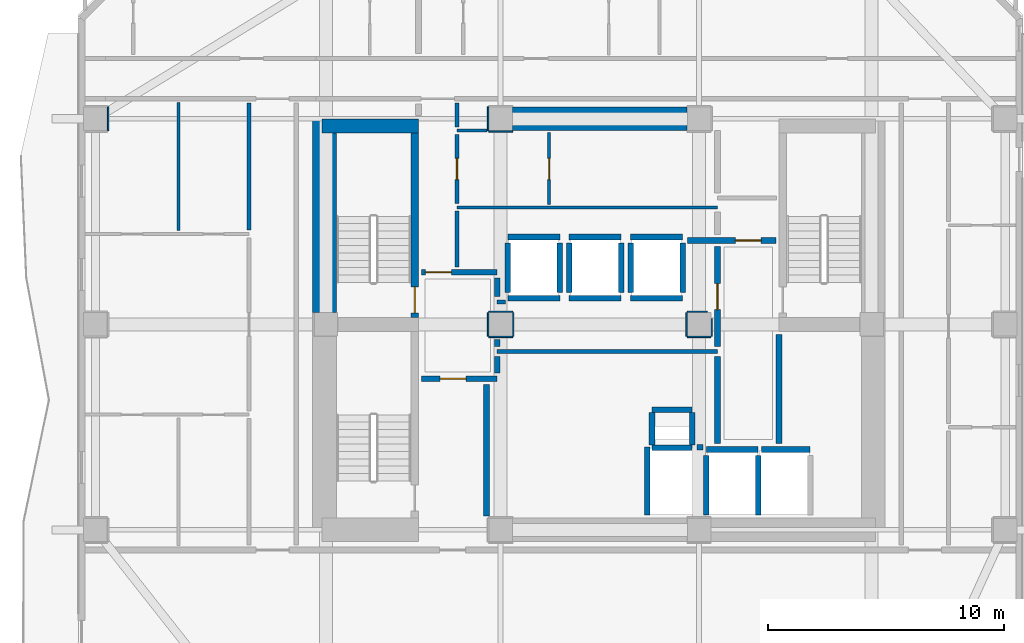
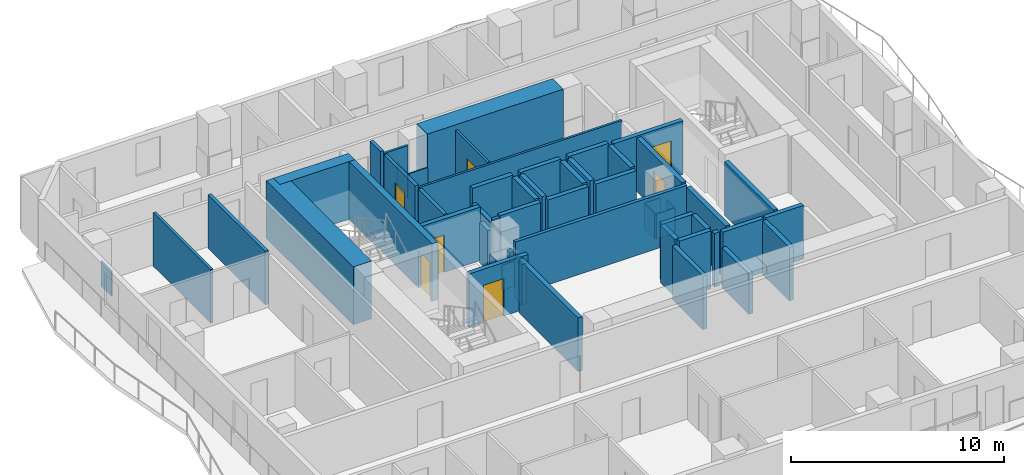
# One storey, part 4 of 11: 57 walls, 7 doors, 7 openings.
"""IFC4 building model written with IfcOpenShell, lengths in metres."""

from ifc_helpers import new_model, si_unit, direction, frame, frame_2d, origin, place, context, subcontext, project, spatial, rectangle, extrude, material, layer, layer_set, type_object, element, fill, save


model = new_model("IFC4")

# Units and contexts
model_context = context("Model", 3, precision=1e-05, world=origin(), true_north=direction((0.0, 1.0)))
body_context = subcontext(model_context, "Body", "Model", "MODEL_VIEW")
ifc_project = project(units=[si_unit("LENGTHUNIT", "METRE"), si_unit("AREAUNIT", "SQUARE_METRE"), si_unit("VOLUMEUNIT", "CUBIC_METRE"), si_unit("PLANEANGLEUNIT", "RADIAN"), si_unit("MASSUNIT", "GRAM", prefix="KILO")], contexts=[model_context])

# Site, building, storey
site_placement = place(None, origin())
site = spatial("IfcSite", under=ifc_project, at=site_placement, CompositionType="ELEMENT")
building_placement = place(site_placement, origin())
building = spatial("IfcBuilding", under=site, at=building_placement, Name="Solanera Arch Residences", CompositionType="ELEMENT")
storey_placement = place(building_placement, frame((0.0, 0.0, 112.719970703125)))
storey = spatial("IfcBuildingStorey", under=building, at=storey_placement, Name="L32", CompositionType="ELEMENT", Elevation=112.719970703125)

# Walls
ifc_material_1 = material(Name="Fire-Rated Gypsum Stud Partition", Category="gypsum")
ifc_layer_1 = layer(ifc_material_1, 0.06005859375)
ifc_layer_set_1 = layer_set([ifc_layer_1], Name="Fire-Rated Gypsum Stud Partition")
wall_type_1 = type_object("IfcWallType", Name="Column Acoustic Furring Wall 60", PredefinedType="PARTITIONING", material=ifc_layer_set_1)
for number, where, z_axis, x_axis, name in (
    (1, (20.300048828125, 38.867919921875, 0.0), (0.0, 0.0, 1.0), (1.0, 0.0, 0.0), "L32 Column Furring 3S"),
    (2, (20.26806640625, 38.89990234375, 0.0), (0.0, 0.0, 1.0), (0.0, 1.0, 0.0), "L32 Column Furring 3W"),
    (3, (20.300048828125, 30.16796875, 0.0), (0.0, 0.0, 1.0), (1.0, 0.0, 0.0), "L32 Column Furring 7S"),
    (4, (20.300048828125, 31.23193359375, 0.0), (0.0, 0.0, 1.0), (1.0, 0.0, 0.0), "L32 Column Furring 7N"),
    (5, (20.26806640625, 30.199951171875, 0.0), (0.0, 0.0, 1.0), (0.0, 1.0, 0.0), "L32 Column Furring 7W"),
    (6, (21.33203125, 30.199951171875, 0.0), (0.0, 0.0, 1.0), (0.0, 1.0, 0.0), "L32 Column Furring 7E"),
    (7, (28.699951171875, 30.16796875, 0.0), (0.0, 0.0, 1.0), (1.0, 0.0, 0.0), "L32 Column Furring 8S"),
):
    element("IfcWall", number, at=place(storey_placement, frame(where, z_axis=z_axis, x_axis=x_axis)), inside=storey, type_object=wall_type_1, Name=name, PredefinedType="PARTITIONING", context=body_context, shape_type="SweptSolid", body=[
        extrude(rectangle(XDim=1.0, YDim=0.06005859375, at=frame_2d((0.5, 0.0))), origin(), (0.0, 0.0, 1.0), 1.449951171875),
    ])
wall_1_placement = place(storey_placement, frame((28.699951171875, 31.23193359375, 0.0), z_axis=(0.0, 0.0, 1.0), x_axis=(1.0, 0.0, 0.0)))
element("IfcWall", 8, at=wall_1_placement, inside=storey, type_object=wall_type_1, Name="L32 Column Furring 8N", PredefinedType="PARTITIONING", context=body_context, shape_type="SweptSolid", body=[
    extrude(rectangle(XDim=0.8349609375, YDim=0.06005859375, at=frame_2d((0.41748046875, 0.0))), origin(), (0.0, 0.0, 1.0), 1.449951171875),
])
wall_2_placement = place(storey_placement, frame((28.66796875, 30.199951171875, 0.0), z_axis=(0.0, 0.0, 1.0), x_axis=(0.0, 1.0, 0.0)))
element("IfcWall", 9, at=wall_2_placement, inside=storey, type_object=wall_type_1, Name="L32 Column Furring 8W", PredefinedType="PARTITIONING", context=body_context, shape_type="SweptSolid", body=[
    extrude(rectangle(XDim=1.0, YDim=0.06005859375, at=frame_2d((0.5, 0.0))), origin(), (0.0, 0.0, 1.0), 1.449951171875),
])
wall_3_placement = place(storey_placement, frame((29.73193359375, 30.199951171875, 0.0), z_axis=(0.0, 0.0, 1.0), x_axis=(0.0, 1.0, 0.0)))
element("IfcWall", 10, at=wall_3_placement, inside=storey, type_object=wall_type_1, Name="L32 Column Furring 8E", PredefinedType="PARTITIONING", context=body_context, shape_type="SweptSolid", body=[
    extrude(rectangle(XDim=0.7470703125, YDim=0.06005859375, at=frame_2d((0.37353515625, 0.0))), origin(), (0.0, 0.0, 1.0), 1.449951171875),
])
wall_4_placement = place(storey_placement, frame((4.181884765625, 38.89990234375, 0.0), z_axis=(0.0, 0.0, 1.0), x_axis=(0.0, 1.0, 0.0)))
element("IfcWall", 11, at=wall_4_placement, inside=storey, type_object=wall_type_1, Name="L32 Column Furring 21E", PredefinedType="PARTITIONING", context=body_context, shape_type="SweptSolid", body=[
    extrude(rectangle(XDim=1.0, YDim=0.06005859375, at=frame_2d((0.5, 0.0))), origin(), (0.0, 0.0, 1.0), 1.449951171875),
])
ifc_material_2 = material(Name="Concrete C55/67 (f'c = 60 MPa)", Category="concrete")
ifc_layer_2 = layer(ifc_material_2, 1.0)
ifc_layer_set_2 = layer_set([ifc_layer_2], Name="Concrete C55/67 (f'c = 60 MPa)")
wall_type_2 = type_object("IfcWallType", Name="Core Shear Wall CW-1000", PredefinedType="SHEAR", material=ifc_layer_set_2)
wall_5_placement = place(storey_placement, frame((13.340087890625, 31.205078125, 0.0), z_axis=(0.0, 0.0, 1.0), x_axis=(0.0, 1.0, 0.0)))
element("IfcWall", 12, at=wall_5_placement, inside=storey, type_object=wall_type_2, Name="L32 West Core North Shear Wall", PredefinedType="SHEAR", context=body_context, shape_type="SweptSolid", body=[
    extrude(rectangle(XDim=8.19482421875, YDim=1.0, at=frame_2d((4.097412109375, 0.0))), origin(), (0.0, 0.0, 1.0), 3.320068359375),
])
wall_6_placement = place(storey_placement, frame((21.304931640625, 39.39990234375, 0.0), z_axis=(0.0, 0.0, 1.0), x_axis=(1.0, 0.0, 0.0)))
element("IfcWall", 13, at=wall_6_placement, inside=storey, type_object=wall_type_2, Name="L32 Central North Core Shear Wall", PredefinedType="SHEAR", context=body_context, shape_type="SweptSolid", body=[
    extrude(rectangle(XDim=7.39013671875, YDim=1.0, at=frame_2d((3.695068359375, 0.0))), origin(), (0.0, 0.0, 1.0), 3.320068359375),
])

# Wall, opening, door
ifc_material_3 = material(Name="Concrete C40/50 (f'c = 45 MPa)", Category="concrete")
ifc_layer_3 = layer(ifc_material_3, 0.320068359375)
ifc_layer_set_3 = layer_set([ifc_layer_3], Name="Concrete C40/50 (f'c = 45 MPa)")
wall_type_3 = type_object("IfcWallType", Name="Core Shear Wall CW-320", PredefinedType="SHEAR", material=ifc_layer_set_3)
wall_7_placement = place(storey_placement, frame((17.159912109375, 31.0, 0.0), z_axis=(0.0, 0.0, 1.0), x_axis=(0.0, 1.0, 0.0)))
wall_7 = element("IfcWall", 14, at=wall_7_placement, inside=storey, type_object=wall_type_3, Name="L32 Stair ST-T1 East Shear Wall", PredefinedType="SHEAR", context=body_context, shape_type="SweptSolid", body=[
    extrude(rectangle(XDim=7.800048828125, YDim=0.320068359375, at=frame_2d((3.89990234375, 0.0))), origin(), (0.0, 0.0, 1.0), 3.320068359375),
])
opening_1_placement = place(wall_7_placement, frame((0.18994140625, 0.0, 0.0)))
opening_1 = element("IfcOpeningElement", 15, at=opening_1_placement, cuts=wall_7, Name="Opening DF-01", PredefinedType="OPENING", context=body_context, shape_type="SweptSolid", body=[
    extrude(rectangle(XDim=1.10009765625, YDim=2.14990234375, at=frame_2d((0.550048828125, 1.074951171875))), frame((0.0, 0.169921875, 0.0), z_axis=(0.0, -1.0, 0.0), x_axis=(1.0, 0.0, 0.0)), (0.0, 0.0, 1.0), 0.3401),
])
ifc_material_4 = material(Name="Fire-Rated Architectural Hardwood", Category="wood")
door_type_1 = type_object("IfcDoorType", Name="Stair Exit Fire Door DF-01", OperationType="NOTDEFINED", PredefinedType="DOOR", material=ifc_material_4)
door_1_placement = place(opening_1_placement, origin())
door_1 = element("IfcDoor", 16, at=door_1_placement, inside=storey, type_object=door_type_1, Name="DR-L32-STAIR-ST-T1", OperationType="SINGLE_SWING_RIGHT", OverallHeight=2.14990234375, OverallWidth=1.10009765625, PredefinedType="DOOR", context=body_context, shape_type="SweptSolid", body=[
    extrude(rectangle(XDim=1.10009765625, YDim=2.14990234375, at=frame_2d((0.550048828125, 1.074951171875))), frame((0.0, 0.02490234375, 0.0), z_axis=(0.0, -1.0, 0.0), x_axis=(1.0, 0.0, 0.0)), (0.0, 0.0, 1.0), 0.050048828125),
])
fill(opening_1, door_1)

# Walls
ifc_material_5 = material(Name="Concrete C40/50 (f'c = 45 MPa)", Category="concrete")
ifc_layer_4 = layer(ifc_material_5, 0.60009765625)
ifc_layer_set_4 = layer_set([ifc_layer_4], Name="Concrete C40/50 (f'c = 45 MPa)")
wall_type_4 = type_object("IfcWallType", Name="Core Shear Wall CW-600", PredefinedType="SHEAR", material=ifc_layer_set_4)
wall_8_placement = place(storey_placement, frame((13.239990234375, 39.10009765625, 0.0), z_axis=(0.0, 0.0, 1.0), x_axis=(1.0, 0.0, 0.0)))
element("IfcWall", 17, at=wall_8_placement, inside=storey, type_object=wall_type_4, Name="L32 North-West Core Shear Wall", PredefinedType="SHEAR", context=body_context, shape_type="SweptSolid", body=[
    extrude(rectangle(XDim=4.080078125, YDim=0.60009765625, at=frame_2d((2.0400390625, 0.0))), origin(), (0.0, 0.0, 1.0), 3.320068359375),
])
ifc_material_6 = material(Name="Autoclaved Aerated Concrete Blockwork", Category="masonry")
ifc_layer_5 = layer(ifc_material_6, 0.179931640625)
ifc_layer_set_5 = layer_set([ifc_layer_5], Name="Autoclaved Aerated Concrete Blockwork")
wall_type_5 = type_object("IfcWallType", Name="Corridor Fire Partition 180", PredefinedType="PARTITIONING", material=ifc_layer_set_5)
wall_9_placement = place(storey_placement, frame((20.64990234375, 29.550048828125, 0.0), z_axis=(0.0, 0.0, 1.0), x_axis=(1.0, 0.0, 0.0)))
element("IfcWall", 18, at=wall_9_placement, inside=storey, type_object=wall_type_5, Name="L32 Interior Partition H7", PredefinedType="PARTITIONING", context=body_context, shape_type="SweptSolid", body=[
    extrude(rectangle(XDim=9.3251953125, YDim=0.179931640625, at=frame_2d((4.66259765625, 0.0))), origin(), (0.0, 0.0, 1.0), 3.080078125),
])
wall_10_placement = place(storey_placement, frame((20.64990234375, 31.64990234375, 0.0), z_axis=(0.0, 0.0, 1.0), x_axis=(1.0, 0.0, 0.0)))
element("IfcWall", 19, at=wall_10_placement, inside=storey, type_object=wall_type_5, Name="L32 Interior Partition H8", PredefinedType="PARTITIONING", context=body_context, shape_type="SweptSolid", body=[
    extrude(rectangle(XDim=0.357177734375, YDim=0.179931640625, at=frame_2d((0.1787109375, 0.0))), origin(), (0.0, 0.0, 1.0), 3.080078125),
])
wall_11_placement = place(storey_placement, frame((10.14990234375, 34.68798828125, 0.0), z_axis=(0.0, 0.0, 1.0), x_axis=(0.0, 1.0, 0.0)))
element("IfcWall", 20, at=wall_11_placement, inside=storey, type_object=wall_type_5, Name="L32 Interior Partition V8 3", PredefinedType="PARTITIONING", context=body_context, shape_type="SweptSolid", body=[
    extrude(rectangle(XDim=5.3740234375, YDim=0.179931640625, at=frame_2d((2.68701171875, 0.0))), origin(), (0.0, 0.0, 1.0), 3.080078125),
])
wall_12_placement = place(storey_placement, frame((18.949951171875, 33.117919921875, 0.0), z_axis=(0.0, 0.0, 1.0), x_axis=(0.0, 1.0, 0.0)))
element("IfcWall", 21, at=wall_12_placement, inside=storey, type_object=wall_type_5, Name="L32 Interior Partition V10 1", PredefinedType="PARTITIONING", context=body_context, shape_type="SweptSolid", body=[
    extrude(rectangle(XDim=2.3740234375, YDim=0.179931640625, at=frame_2d((1.18701171875, 0.0))), origin(), (0.0, 0.0, 1.0), 3.080078125),
])

# Wall, opening, door
wall_13_placement = place(storey_placement, frame((18.949951171875, 35.80810546875, 0.0), z_axis=(0.0, 0.0, 1.0), x_axis=(0.0, 1.0, 0.0)))
wall_13 = element("IfcWall", 22, at=wall_13_placement, inside=storey, type_object=wall_type_5, Name="L32 Interior Partition V10 2", PredefinedType="PARTITIONING", context=body_context, shape_type="SweptSolid", body=[
    extrude(rectangle(XDim=2.933837890625, YDim=0.179931640625, at=frame_2d((1.466796875, 0.0))), origin(), (0.0, 0.0, 1.0), 3.080078125),
])
opening_2_placement = place(wall_13_placement, frame((1.01708984375, 0.0, 0.0)))
opening_2 = element("IfcOpeningElement", 23, at=opening_2_placement, cuts=wall_13, Name="Opening DI-02", PredefinedType="OPENING", context=body_context, shape_type="SweptSolid", body=[
    extrude(rectangle(XDim=0.89990234375, YDim=2.10009765625, at=frame_2d((0.449951171875, 1.050048828125))), frame((0.0, 0.10009765625, 0.0), z_axis=(0.0, -1.0, 0.0), x_axis=(1.0, 0.0, 0.0)), (0.0, 0.0, 1.0), 0.1999),
])
ifc_material_7 = material(Name="Fire-Rated Architectural Hardwood", Category="wood")
door_type_2 = type_object("IfcDoorType", Name="Suite Room Swing Door DI-02", OperationType="NOTDEFINED", PredefinedType="DOOR", material=ifc_material_7)
door_2_placement = place(opening_2_placement, origin())
door_2 = element("IfcDoor", 24, at=door_2_placement, inside=storey, type_object=door_type_2, Name="DR-L32-IN-014", OperationType="SINGLE_SWING_LEFT", OverallHeight=2.10009765625, OverallWidth=0.89990234375, PredefinedType="DOOR", context=body_context, shape_type="SweptSolid", body=[
    extrude(rectangle(XDim=0.89990234375, YDim=2.10009765625, at=frame_2d((0.449951171875, 1.050048828125))), frame((0.0, 0.02490234375, 0.0), z_axis=(0.0, -1.0, 0.0), x_axis=(1.0, 0.0, 0.0)), (0.0, 0.0, 1.0), 0.050048828125),
])
fill(opening_2, door_2)

# Walls
wall_14_placement = place(storey_placement, frame((18.949951171875, 39.05810546875, 0.0), z_axis=(0.0, 0.0, 1.0), x_axis=(0.0, 1.0, 0.0)))
element("IfcWall", 25, at=wall_14_placement, inside=storey, type_object=wall_type_5, Name="L32 Interior Partition V10 3", PredefinedType="PARTITIONING", context=body_context, shape_type="SweptSolid", body=[
    extrude(rectangle(XDim=1.00390625, YDim=0.179931640625, at=frame_2d((0.501953125, 0.0))), origin(), (0.0, 0.0, 1.0), 3.080078125),
])
ifc_material_8 = material(Name="Concrete C40/50 (f'c = 45 MPa)", Category="concrete")
ifc_layer_6 = layer(ifc_material_8, 0.239990234375)
ifc_layer_set_6 = layer_set([ifc_layer_6], Name="Concrete C40/50 (f'c = 45 MPa)")
wall_type_6 = type_object("IfcWallType", Name="Ramp Bearing Shear Wall RW-240", PredefinedType="SHEAR", material=ifc_layer_set_6)
for number, where, z_axis, x_axis, name in (
    (26, (27.199951171875, 25.47998046875, 0.0), (0.0, 0.0, 1.0), (1.0, 0.0, 0.0), "L32 Core MEP Riser South Shaft Wall"),
    (27, (27.199951171875, 27.080078125, 0.0), (0.0, 0.0, 1.0), (1.0, 0.0, 0.0), "L32 Core MEP Riser North Shaft Wall"),
):
    element("IfcWall", number, at=place(storey_placement, frame(where, z_axis=z_axis, x_axis=x_axis)), inside=storey, type_object=wall_type_6, Name=name, PredefinedType="SHEAR", context=body_context, shape_type="SweptSolid", body=[
        extrude(rectangle(XDim=1.699951171875, YDim=0.239990234375, at=frame_2d((0.85009765625, 0.0))), origin(), (0.0, 0.0, 1.0), 3.320068359375),
    ])
for number, where, z_axis, x_axis, name in (
    (28, (27.199951171875, 25.60009765625, 0.0), (0.0, 0.0, 1.0), (0.0, 1.0, 0.0), "L32 Core MEP Riser West Shaft Wall"),
    (29, (28.89990234375, 25.60009765625, 0.0), (0.0, 0.0, 1.0), (0.0, 1.0, 0.0), "L32 Core MEP Riser East Shaft Wall"),
):
    element("IfcWall", number, at=place(storey_placement, frame(where, z_axis=z_axis, x_axis=x_axis)), inside=storey, type_object=wall_type_6, Name=name, PredefinedType="SHEAR", context=body_context, shape_type="SweptSolid", body=[
        extrude(rectangle(XDim=1.35986328125, YDim=0.239990234375, at=frame_2d((0.679931640625, 0.0))), origin(), (0.0, 0.0, 1.0), 3.320068359375),
    ])
ifc_material_9 = material(Name="Autoclaved Aerated Concrete Blockwork", Category="masonry")
ifc_layer_7 = layer(ifc_material_9, 0.239990234375)
ifc_layer_set_7 = layer_set([ifc_layer_7], Name="Autoclaved Aerated Concrete Blockwork")
wall_type_7 = type_object("IfcWallType", Name="Shaft Wall Fire-Rated 240", PredefinedType="PARTITIONING", material=ifc_layer_set_7)
for number, where, z_axis, x_axis, name in (
    (30, (21.10009765625, 31.800048828125, 0.0), (0.0, 0.0, 1.0), (1.0, 0.0, 0.0), "L32 Lift PL-M1 Hoistway Wall S"),
    (31, (21.10009765625, 34.39990234375, 0.0), (0.0, 0.0, 1.0), (1.0, 0.0, 0.0), "L32 Lift PL-M1 Hoistway Wall N"),
):
    element("IfcWall", number, at=place(storey_placement, frame(where, z_axis=z_axis, x_axis=x_axis)), inside=storey, type_object=wall_type_7, Name=name, PredefinedType="PARTITIONING", context=body_context, shape_type="SweptSolid", body=[
        extrude(rectangle(XDim=2.199951171875, YDim=0.239990234375, at=frame_2d((1.10009765625, 0.0))), origin(), (0.0, 0.0, 1.0), 3.080078125),
    ])
wall_15_placement = place(storey_placement, frame((21.10009765625, 32.048095703125, 0.0), z_axis=(0.0, 0.0, 1.0), x_axis=(0.0, 1.0, 0.0)))
element("IfcWall", 32, at=wall_15_placement, inside=storey, type_object=wall_type_7, Name="L32 Lift PL-M1 Hoistway Wall W", PredefinedType="PARTITIONING", context=body_context, shape_type="SweptSolid", body=[
    extrude(rectangle(XDim=2.10400390625, YDim=0.239990234375, at=frame_2d((1.052001953125, 0.0))), origin(), (0.0, 0.0, 1.0), 2.31494140625),
])
wall_16_placement = place(storey_placement, frame((23.300048828125, 32.048095703125, 0.0), z_axis=(0.0, 0.0, 1.0), x_axis=(0.0, 1.0, 0.0)))
element("IfcWall", 33, at=wall_16_placement, inside=storey, type_object=wall_type_7, Name="L32 Lift PL-M1 Hoistway Wall E", PredefinedType="PARTITIONING", context=body_context, shape_type="SweptSolid", body=[
    extrude(rectangle(XDim=2.10400390625, YDim=0.239990234375, at=frame_2d((1.052001953125, 0.0))), origin(), (0.0, 0.0, 1.0), 3.080078125),
])
for number, where, z_axis, x_axis, name in (
    (34, (23.699951171875, 31.800048828125, 0.0), (0.0, 0.0, 1.0), (1.0, 0.0, 0.0), "L32 Lift PL-M2 Hoistway Wall S"),
    (35, (23.699951171875, 34.39990234375, 0.0), (0.0, 0.0, 1.0), (1.0, 0.0, 0.0), "L32 Lift PL-M2 Hoistway Wall N"),
):
    element("IfcWall", number, at=place(storey_placement, frame(where, z_axis=z_axis, x_axis=x_axis)), inside=storey, type_object=wall_type_7, Name=name, PredefinedType="PARTITIONING", context=body_context, shape_type="SweptSolid", body=[
        extrude(rectangle(XDim=2.199951171875, YDim=0.239990234375, at=frame_2d((1.10009765625, 0.0))), origin(), (0.0, 0.0, 1.0), 3.080078125),
    ])
for number, where, z_axis, x_axis, name in (
    (36, (23.699951171875, 32.048095703125, 0.0), (0.0, 0.0, 1.0), (0.0, 1.0, 0.0), "L32 Lift PL-M2 Hoistway Wall W"),
    (37, (25.89990234375, 32.048095703125, 0.0), (0.0, 0.0, 1.0), (0.0, 1.0, 0.0), "L32 Lift PL-M2 Hoistway Wall E"),
):
    element("IfcWall", number, at=place(storey_placement, frame(where, z_axis=z_axis, x_axis=x_axis)), inside=storey, type_object=wall_type_7, Name=name, PredefinedType="PARTITIONING", context=body_context, shape_type="SweptSolid", body=[
        extrude(rectangle(XDim=2.10400390625, YDim=0.239990234375, at=frame_2d((1.052001953125, 0.0))), origin(), (0.0, 0.0, 1.0), 3.080078125),
    ])
for number, where, z_axis, x_axis, name in (
    (38, (26.300048828125, 31.800048828125, 0.0), (0.0, 0.0, 1.0), (1.0, 0.0, 0.0), "L32 Lift PL-M3 Hoistway Wall S"),
    (39, (26.300048828125, 34.39990234375, 0.0), (0.0, 0.0, 1.0), (1.0, 0.0, 0.0), "L32 Lift PL-M3 Hoistway Wall N"),
):
    element("IfcWall", number, at=place(storey_placement, frame(where, z_axis=z_axis, x_axis=x_axis)), inside=storey, type_object=wall_type_7, Name=name, PredefinedType="PARTITIONING", context=body_context, shape_type="SweptSolid", body=[
        extrude(rectangle(XDim=2.199951171875, YDim=0.239990234375, at=frame_2d((1.10009765625, 0.0))), origin(), (0.0, 0.0, 1.0), 3.080078125),
    ])
for number, where, z_axis, x_axis, name in (
    (40, (26.300048828125, 32.048095703125, 0.0), (0.0, 0.0, 1.0), (0.0, 1.0, 0.0), "L32 Lift PL-M3 Hoistway Wall W"),
    (41, (28.5, 32.048095703125, 0.0), (0.0, 0.0, 1.0), (0.0, 1.0, 0.0), "L32 Lift PL-M3 Hoistway Wall E"),
):
    element("IfcWall", number, at=place(storey_placement, frame(where, z_axis=z_axis, x_axis=x_axis)), inside=storey, type_object=wall_type_7, Name=name, PredefinedType="PARTITIONING", context=body_context, shape_type="SweptSolid", body=[
        extrude(rectangle(XDim=2.10400390625, YDim=0.239990234375, at=frame_2d((1.052001953125, 0.0))), origin(), (0.0, 0.0, 1.0), 3.080078125),
    ])
wall_17_placement = place(storey_placement, frame((29.5, 25.39990234375, 0.0), z_axis=(0.0, 0.0, 1.0), x_axis=(1.0, 0.0, 0.0)))
element("IfcWall", 42, at=wall_17_placement, inside=storey, type_object=wall_type_7, Name="L32 Lift FFL-1 Hoistway Wall N", PredefinedType="PARTITIONING", context=body_context, shape_type="SweptSolid", body=[
    extrude(rectangle(XDim=2.199951171875, YDim=0.239990234375, at=frame_2d((1.10009765625, 0.0))), origin(), (0.0, 0.0, 1.0), 3.080078125),
])
wall_18_placement = place(storey_placement, frame((29.5, 22.632080078125, 0.0), z_axis=(0.0, 0.0, 1.0), x_axis=(0.0, 1.0, 0.0)))
element("IfcWall", 43, at=wall_18_placement, inside=storey, type_object=wall_type_7, Name="L32 Lift FFL-1 Hoistway Wall W", PredefinedType="PARTITIONING", context=body_context, shape_type="SweptSolid", body=[
    extrude(rectangle(XDim=2.52001953125, YDim=0.239990234375, at=frame_2d((1.260009765625, 0.0))), origin(), (0.0, 0.0, 1.0), 2.31494140625),
])
wall_19_placement = place(storey_placement, frame((31.699951171875, 22.6298828125, 0.0), z_axis=(0.0, 0.0, 1.0), x_axis=(0.0, 1.0, 0.0)))
element("IfcWall", 44, at=wall_19_placement, inside=storey, type_object=wall_type_7, Name="L32 Lift FFL-1 Hoistway Wall E", PredefinedType="PARTITIONING", context=body_context, shape_type="SweptSolid", body=[
    extrude(rectangle(XDim=2.522216796875, YDim=0.239990234375, at=frame_2d((1.26123046875, 0.0))), origin(), (0.0, 0.0, 1.0), 3.080078125),
])
wall_20_placement = place(storey_placement, frame((31.827880859375, 25.39990234375, 0.0), z_axis=(0.0, 0.0, 1.0), x_axis=(1.0, 0.0, 0.0)))
element("IfcWall", 45, at=wall_20_placement, inside=storey, type_object=wall_type_7, Name="L32 Lift FFL-2 Hoistway Wall N", PredefinedType="PARTITIONING", context=body_context, shape_type="SweptSolid", body=[
    extrude(rectangle(XDim=2.072021484375, YDim=0.239990234375, at=frame_2d((1.0361328125, 0.0))), origin(), (0.0, 0.0, 1.0), 3.080078125),
])
wall_21_placement = place(storey_placement, frame((29.10302734375, 25.5, 0.0), z_axis=(0.0, 0.0, 1.0), x_axis=(1.0, 0.0, 0.0)))
element("IfcWall", 46, at=wall_21_placement, inside=storey, type_object=wall_type_7, Name="L32 Lift SVL-1 Hoistway Wall N", PredefinedType="PARTITIONING", context=body_context, shape_type="SweptSolid", body=[
    extrude(rectangle(XDim=0.26904296875, YDim=0.239990234375, at=frame_2d((0.134521484375, 0.0))), origin(), (0.0, 0.0, 1.0), 3.080078125),
])
wall_22_placement = place(storey_placement, frame((27.0, 22.6298828125, 0.0), z_axis=(0.0, 0.0, 1.0), x_axis=(0.0, 1.0, 0.0)))
element("IfcWall", 47, at=wall_22_placement, inside=storey, type_object=wall_type_7, Name="L32 Lift SVL-1 Hoistway Wall W", PredefinedType="PARTITIONING", context=body_context, shape_type="SweptSolid", body=[
    extrude(rectangle(XDim=2.8681640625, YDim=0.239990234375, at=frame_2d((1.43408203125, 0.0))), origin(), (0.0, 0.0, 1.0), 3.080078125),
])

# Wall, opening, door
wall_23_placement = place(storey_placement, frame((17.449951171875, 28.39990234375, 0.0), z_axis=(0.0, 0.0, 1.0), x_axis=(1.0, 0.0, 0.0)))
wall_23 = element("IfcWall", 48, at=wall_23_placement, inside=storey, type_object=wall_type_7, Name="L32 Interior Partition H3", PredefinedType="PARTITIONING", context=body_context, shape_type="SweptSolid", body=[
    extrude(rectangle(XDim=3.199951171875, YDim=0.239990234375, at=frame_2d((1.60009765625, 0.0))), origin(), (0.0, 0.0, 1.0), 3.080078125),
])
opening_3_placement = place(wall_23_placement, frame((0.783935546875, 0.0, 0.0)))
opening_3 = element("IfcOpeningElement", 49, at=opening_3_placement, cuts=wall_23, Name="Opening DF-02", PredefinedType="OPENING", context=body_context, shape_type="SweptSolid", body=[
    extrude(rectangle(XDim=1.10009765625, YDim=2.14990234375, at=frame_2d((0.550048828125, 1.074951171875))), frame((0.0, 0.1298828125, 0.0), z_axis=(0.0, -1.0, 0.0), x_axis=(1.0, 0.0, 0.0)), (0.0, 0.0, 1.0), 0.26),
])
ifc_material_10 = material(Name="Fire-Rated Architectural Hardwood", Category="wood")
door_type_3 = type_object("IfcDoorType", Name="Firefighting Lobby Fire Door DF-02", OperationType="NOTDEFINED", PredefinedType="DOOR", material=ifc_material_10)
door_3_placement = place(opening_3_placement, origin())
door_3 = element("IfcDoor", 50, at=door_3_placement, inside=storey, type_object=door_type_3, Name="DR-L32-IN-004", OperationType="SINGLE_SWING_LEFT", OverallHeight=2.14990234375, OverallWidth=1.10009765625, PredefinedType="DOOR", context=body_context, shape_type="SweptSolid", body=[
    extrude(rectangle(XDim=1.10009765625, YDim=2.14990234375, at=frame_2d((0.550048828125, 1.074951171875))), frame((0.0, 0.02490234375, 0.0), z_axis=(0.0, -1.0, 0.0), x_axis=(1.0, 0.0, 0.0)), (0.0, 0.0, 1.0), 0.050048828125),
])
fill(opening_3, door_3)

wall_24_placement = place(storey_placement, frame((17.449951171875, 32.89990234375, 0.0), z_axis=(0.0, 0.0, 1.0), x_axis=(1.0, 0.0, 0.0)))
wall_24 = element("IfcWall", 51, at=wall_24_placement, inside=storey, type_object=wall_type_7, Name="L32 Interior Partition H4", PredefinedType="PARTITIONING", context=body_context, shape_type="SweptSolid", body=[
    extrude(rectangle(XDim=3.199951171875, YDim=0.239990234375, at=frame_2d((1.60009765625, 0.0))), origin(), (0.0, 0.0, 1.0), 3.080078125),
])
opening_4_placement = place(wall_24_placement, frame((0.158935546875, 0.0, 0.0)))
opening_4 = element("IfcOpeningElement", 52, at=opening_4_placement, cuts=wall_24, Name="Opening DF-02", PredefinedType="OPENING", context=body_context, shape_type="SweptSolid", body=[
    extrude(rectangle(XDim=1.10009765625, YDim=2.14990234375, at=frame_2d((0.550048828125, 1.074951171875))), frame((0.0, 0.1298828125, 0.0), z_axis=(0.0, -1.0, 0.0), x_axis=(1.0, 0.0, 0.0)), (0.0, 0.0, 1.0), 0.26),
])
door_4_placement = place(opening_4_placement, origin())
door_4 = element("IfcDoor", 53, at=door_4_placement, inside=storey, type_object=door_type_3, Name="DR-L32-IN-005", OperationType="SINGLE_SWING_RIGHT", OverallHeight=2.14990234375, OverallWidth=1.10009765625, PredefinedType="DOOR", context=body_context, shape_type="SweptSolid", body=[
    extrude(rectangle(XDim=1.10009765625, YDim=2.14990234375, at=frame_2d((0.550048828125, 1.074951171875))), frame((0.0, 0.02490234375, 0.0), z_axis=(0.0, -1.0, 0.0), x_axis=(1.0, 0.0, 0.0)), (0.0, 0.0, 1.0), 0.050048828125),
])
fill(opening_4, door_4)

wall_25_placement = place(storey_placement, frame((28.701904296875, 34.25, 0.0), z_axis=(0.0, 0.0, 1.0), x_axis=(1.0, 0.0, 0.0)))
wall_25 = element("IfcWall", 54, at=wall_25_placement, inside=storey, type_object=wall_type_7, Name="L32 Interior Partition H5", PredefinedType="PARTITIONING", context=body_context, shape_type="SweptSolid", body=[
    extrude(rectangle(XDim=3.748046875, YDim=0.239990234375, at=frame_2d((1.8740234375, 0.0))), origin(), (0.0, 0.0, 1.0), 3.080078125),
])
opening_5_placement = place(wall_25_placement, frame((2.02490234375, 0.0, 0.0)))
opening_5 = element("IfcOpeningElement", 55, at=opening_5_placement, cuts=wall_25, Name="Opening DF-02", PredefinedType="OPENING", context=body_context, shape_type="SweptSolid", body=[
    extrude(rectangle(XDim=1.10009765625, YDim=2.14990234375, at=frame_2d((0.550048828125, 1.074951171875))), frame((0.0, 0.1298828125, 0.0), z_axis=(0.0, -1.0, 0.0), x_axis=(1.0, 0.0, 0.0)), (0.0, 0.0, 1.0), 0.26),
])
door_5_placement = place(opening_5_placement, origin())
door_5 = element("IfcDoor", 56, at=door_5_placement, inside=storey, type_object=door_type_3, Name="DR-L32-IN-007", OperationType="SINGLE_SWING_RIGHT", OverallHeight=2.14990234375, OverallWidth=1.10009765625, PredefinedType="DOOR", context=body_context, shape_type="SweptSolid", body=[
    extrude(rectangle(XDim=1.10009765625, YDim=2.14990234375, at=frame_2d((0.550048828125, 1.074951171875))), frame((0.0, 0.02490234375, 0.0), z_axis=(0.0, -1.0, 0.0), x_axis=(1.0, 0.0, 0.0)), (0.0, 0.0, 1.0), 0.050048828125),
])
fill(opening_5, door_5)

# Walls
wall_26_placement = place(storey_placement, frame((20.199951171875, 22.5859375, 0.0), z_axis=(0.0, 0.0, 1.0), x_axis=(0.0, 1.0, 0.0)))
element("IfcWall", 57, at=wall_26_placement, inside=storey, type_object=wall_type_7, Name="L32 Interior Partition V3", PredefinedType="PARTITIONING", context=body_context, shape_type="SweptSolid", body=[
    extrude(rectangle(XDim=5.566162109375, YDim=0.239990234375, at=frame_2d((2.783203125, 0.0))), origin(), (0.0, 0.0, 1.0), 3.080078125),
])
wall_27_placement = place(storey_placement, frame((20.64990234375, 28.64794921875, 0.0), z_axis=(0.0, 0.0, 1.0), x_axis=(0.0, 1.0, 0.0)))
element("IfcWall", 58, at=wall_27_placement, inside=storey, type_object=wall_type_7, Name="L32 Interior Partition V4 1", PredefinedType="PARTITIONING", context=body_context, shape_type="SweptSolid", body=[
    extrude(rectangle(XDim=0.68408203125, YDim=0.239990234375, at=frame_2d((0.342041015625, 0.0))), origin(), (0.0, 0.0, 1.0), 2.31494140625),
])
wall_28_placement = place(storey_placement, frame((20.64990234375, 29.76806640625, 0.0), z_axis=(0.0, 0.0, 1.0), x_axis=(0.0, 1.0, 0.0)))
element("IfcWall", 59, at=wall_28_placement, inside=storey, type_object=wall_type_7, Name="L32 Interior Partition V4 2", PredefinedType="PARTITIONING", context=body_context, shape_type="SweptSolid", body=[
    extrude(rectangle(XDim=0.300048828125, YDim=0.239990234375, at=frame_2d((0.14990234375, 0.0))), origin(), (0.0, 0.0, 1.0), 2.31494140625),
])
wall_29_placement = place(storey_placement, frame((20.64990234375, 31.867919921875, 0.0), z_axis=(0.0, 0.0, 1.0), x_axis=(0.0, 1.0, 0.0)))
element("IfcWall", 60, at=wall_29_placement, inside=storey, type_object=wall_type_7, Name="L32 Interior Partition V4 3", PredefinedType="PARTITIONING", context=body_context, shape_type="SweptSolid", body=[
    extrude(rectangle(XDim=0.7841796875, YDim=0.239990234375, at=frame_2d((0.39208984375, 0.0))), origin(), (0.0, 0.0, 1.0), 2.31494140625),
])
wall_30_placement = place(storey_placement, frame((29.97509765625, 25.64794921875, 0.0), z_axis=(0.0, 0.0, 1.0), x_axis=(0.0, 1.0, 0.0)))
element("IfcWall", 61, at=wall_30_placement, inside=storey, type_object=wall_type_7, Name="L32 Interior Partition V5 1", PredefinedType="PARTITIONING", context=body_context, shape_type="SweptSolid", body=[
    extrude(rectangle(XDim=3.68408203125, YDim=0.239990234375, at=frame_2d((1.842041015625, 0.0))), origin(), (0.0, 0.0, 1.0), 3.080078125),
])

# Wall, opening, door
wall_31_placement = place(storey_placement, frame((29.97509765625, 29.76806640625, 0.0), z_axis=(0.0, 0.0, 1.0), x_axis=(0.0, 1.0, 0.0)))
wall_31 = element("IfcWall", 62, at=wall_31_placement, inside=storey, type_object=wall_type_7, Name="L32 Interior Partition V5 2", PredefinedType="PARTITIONING", context=body_context, shape_type="SweptSolid", body=[
    extrude(rectangle(XDim=4.23388671875, YDim=0.239990234375, at=frame_2d((2.116943359375, 0.0))), origin(), (0.0, 0.0, 1.0), 3.080078125),
])
opening_6_placement = place(wall_31_placement, frame((1.556884765625, 0.0, 0.0)))
opening_6 = element("IfcOpeningElement", 63, at=opening_6_placement, cuts=wall_31, Name="Opening DF-02", PredefinedType="OPENING", context=body_context, shape_type="SweptSolid", body=[
    extrude(rectangle(XDim=1.10009765625, YDim=2.14990234375, at=frame_2d((0.550048828125, 1.074951171875))), frame((0.0, 0.1298828125, 0.0), z_axis=(0.0, -1.0, 0.0), x_axis=(1.0, 0.0, 0.0)), (0.0, 0.0, 1.0), 0.26),
])
door_6_placement = place(opening_6_placement, origin())
door_6 = element("IfcDoor", 64, at=door_6_placement, inside=storey, type_object=door_type_3, Name="DR-L32-IN-006", OperationType="SINGLE_SWING_LEFT", OverallHeight=2.14990234375, OverallWidth=1.10009765625, PredefinedType="DOOR", context=body_context, shape_type="SweptSolid", body=[
    extrude(rectangle(XDim=1.10009765625, YDim=2.14990234375, at=frame_2d((0.550048828125, 1.074951171875))), frame((0.0, 0.02490234375, 0.0), z_axis=(0.0, -1.0, 0.0), x_axis=(1.0, 0.0, 0.0)), (0.0, 0.0, 1.0), 0.050048828125),
])
fill(opening_6, door_6)

# Walls
wall_32_placement = place(storey_placement, frame((32.580078125, 25.64794921875, 0.0), z_axis=(0.0, 0.0, 1.0), x_axis=(0.0, 1.0, 0.0)))
element("IfcWall", 65, at=wall_32_placement, inside=storey, type_object=wall_type_7, Name="L32 Interior Partition V6", PredefinedType="PARTITIONING", context=body_context, shape_type="SweptSolid", body=[
    extrude(rectangle(XDim=4.6220703125, YDim=0.239990234375, at=frame_2d((2.31103515625, 0.0))), origin(), (0.0, 0.0, 1.0), 3.080078125),
])
ifc_material_11 = material(Name="Fire-Rated Gypsum Stud Partition", Category="gypsum")
ifc_layer_8 = layer(ifc_material_11, 0.1201171875)
ifc_layer_set_8 = layer_set([ifc_layer_8], Name="Fire-Rated Gypsum Stud Partition")
wall_type_8 = type_object("IfcWallType", Name="Unit Drywall Partition 120", PredefinedType="PARTITIONING", material=ifc_layer_set_8)
wall_33_placement = place(storey_placement, frame((18.949951171875, 35.64990234375, 0.0), z_axis=(0.0, 0.0, 1.0), x_axis=(1.0, 0.0, 0.0)))
element("IfcWall", 66, at=wall_33_placement, inside=storey, type_object=wall_type_8, Name="L32 Interior Partition H21", PredefinedType="PARTITIONING", context=body_context, shape_type="SweptSolid", body=[
    extrude(rectangle(XDim=11.025146484375, YDim=0.1201171875, at=frame_2d((5.5126953125, 0.0))), origin(), (0.0, 0.0, 1.0), 3.080078125),
])
wall_34_placement = place(storey_placement, frame((18.949951171875, 38.89990234375, 0.0), z_axis=(0.0, 0.0, 1.0), x_axis=(1.0, 0.0, 0.0)))
element("IfcWall", 67, at=wall_34_placement, inside=storey, type_object=wall_type_8, Name="L32 Interior Partition H22", PredefinedType="PARTITIONING", context=body_context, shape_type="SweptSolid", body=[
    extrude(rectangle(XDim=1.278076171875, YDim=0.1201171875, at=frame_2d((0.63916015625, 0.0))), origin(), (0.0, 0.0, 1.0), 3.080078125),
])

# Wall, opening, door
wall_35_placement = place(storey_placement, frame((22.85009765625, 35.778076171875, 0.0), z_axis=(0.0, 0.0, 1.0), x_axis=(0.0, 1.0, 0.0)))
wall_35 = element("IfcWall", 68, at=wall_35_placement, inside=storey, type_object=wall_type_8, Name="L32 Interior Partition V28", PredefinedType="PARTITIONING", context=body_context, shape_type="SweptSolid", body=[
    extrude(rectangle(XDim=3.052001953125, YDim=0.1201171875, at=frame_2d((1.52587890625, 0.0))), origin(), (0.0, 0.0, 1.0), 3.080078125),
])
opening_7_placement = place(wall_35_placement, frame((1.047119140625, 0.0, 0.0)))
opening_7 = element("IfcOpeningElement", 69, at=opening_7_placement, cuts=wall_35, Name="Opening DI-02", PredefinedType="OPENING", context=body_context, shape_type="SweptSolid", body=[
    extrude(rectangle(XDim=0.89990234375, YDim=2.10009765625, at=frame_2d((0.449951171875, 1.050048828125))), frame((0.0, 0.070068359375, 0.0), z_axis=(0.0, -1.0, 0.0), x_axis=(1.0, 0.0, 0.0)), (0.0, 0.0, 1.0), 0.1401),
])
door_7_placement = place(opening_7_placement, origin())
door_7 = element("IfcDoor", 70, at=door_7_placement, inside=storey, type_object=door_type_2, Name="DR-L32-IN-015", OperationType="SINGLE_SWING_RIGHT", OverallHeight=2.10009765625, OverallWidth=0.89990234375, PredefinedType="DOOR", context=body_context, shape_type="SweptSolid", body=[
    extrude(rectangle(XDim=0.89990234375, YDim=2.10009765625, at=frame_2d((0.449951171875, 1.050048828125))), frame((0.0, 0.02490234375, 0.0), z_axis=(0.0, -1.0, 0.0), x_axis=(1.0, 0.0, 0.0)), (0.0, 0.0, 1.0), 0.050048828125),
])
fill(opening_7, door_7)

# Wall
ifc_material_12 = material(Name="Autoclaved Aerated Concrete Blockwork", Category="masonry")
ifc_layer_9 = layer(ifc_material_12, 0.139892578125)
ifc_layer_set_9 = layer_set([ifc_layer_9], Name="Autoclaved Aerated Concrete Blockwork")
wall_type_9 = type_object("IfcWallType", Name="Wet-Room Partition 140", PredefinedType="PARTITIONING", material=ifc_layer_set_9)
wall_36_placement = place(storey_placement, frame((7.162109375, 34.66796875, 0.0), z_axis=(0.0, 0.0, 1.0), x_axis=(0.0, 1.0, 0.0)))
element("IfcWall", 71, at=wall_36_placement, inside=storey, type_object=wall_type_9, Name="L32 Interior Partition V18", PredefinedType="PARTITIONING", context=body_context, shape_type="SweptSolid", body=[
    extrude(rectangle(XDim=5.4140625, YDim=0.139892578125, at=frame_2d((2.70703125, 0.0))), origin(), (0.0, 0.0, 1.0), 3.080078125),
])

save(model, "model.ifc")
